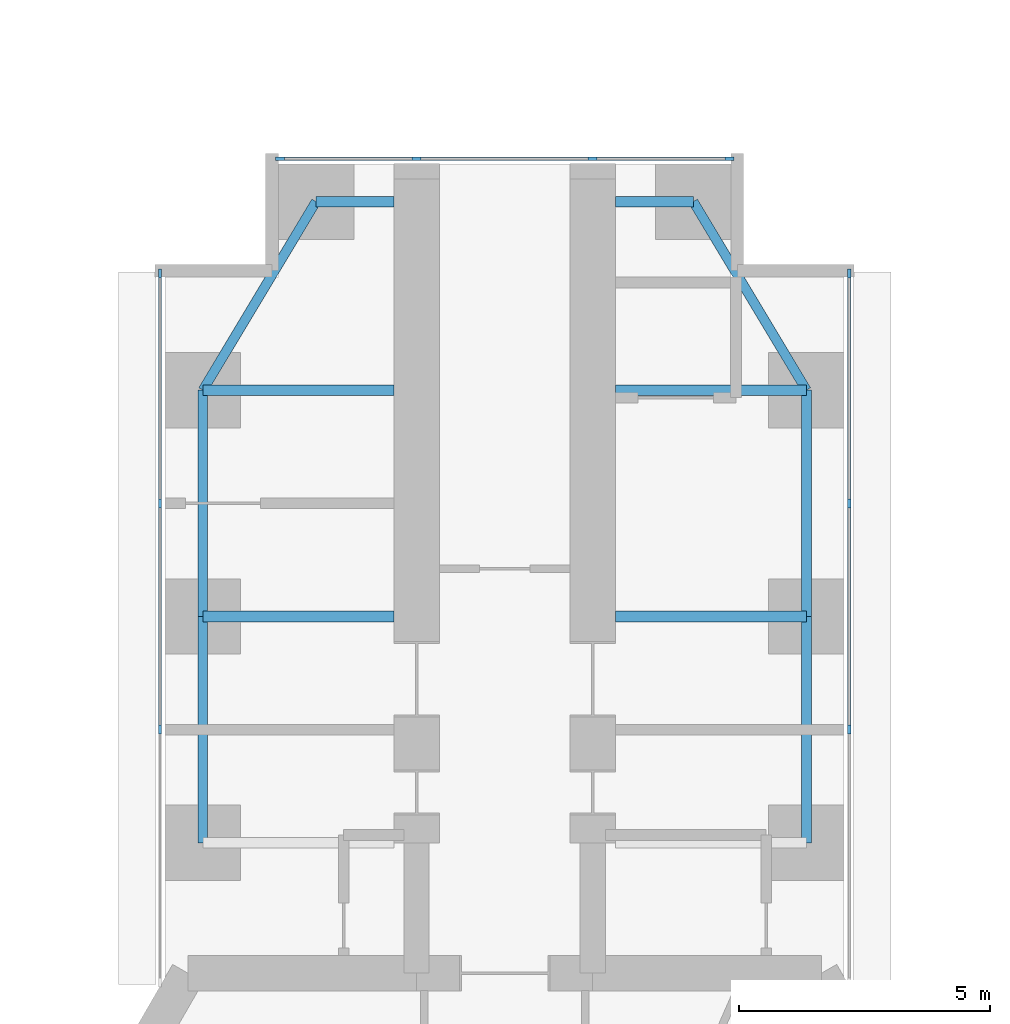
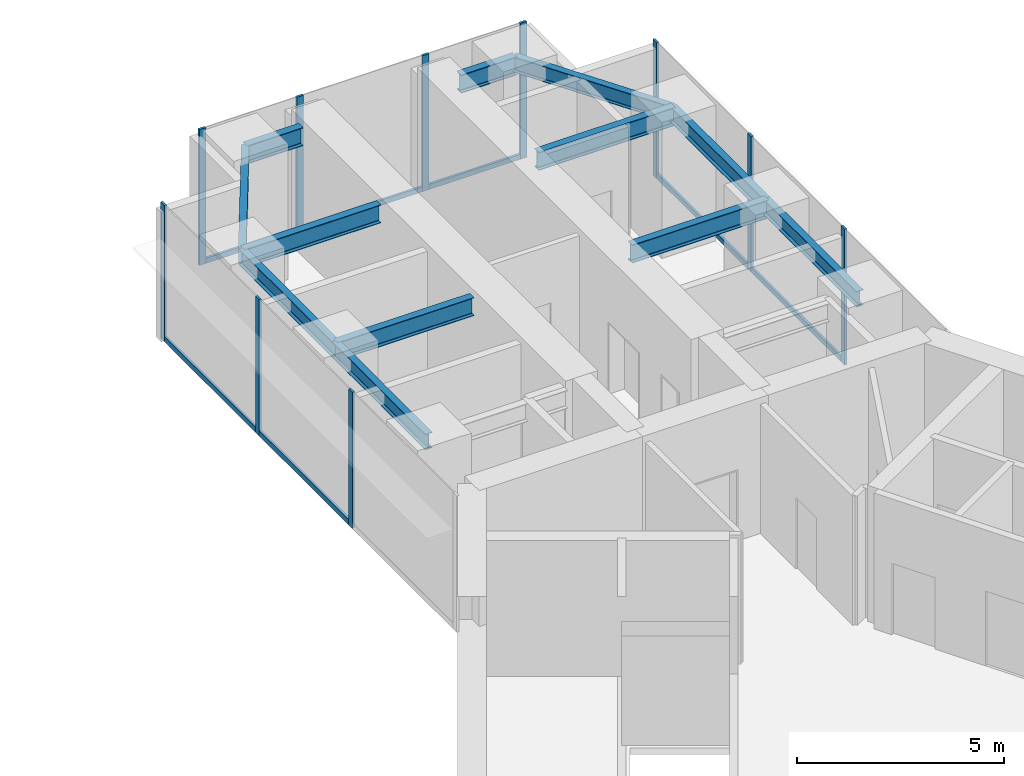
# One storey, part 13 of 23: 17 members, 12 beams, 3 elements without a shape of their own.
"""IFC4 building model written with IfcOpenShell, lengths in metres."""

import ifcopenshell
import ifcopenshell.guid

model = None  # the IFC model being written
_history = None  # IfcOwnerHistory: only IFC2X3 demands one
_inside = {}  # id of a spatial element -> (the spatial element, [elements in it])
_under = {}  # id of a project, library or spatial element -> (it, [spatial elements below it])
_declared = {}  # id of a project -> (the project, [libraries it declares])
_typed = {}  # id of a type object -> (the type object, [elements of that type])
_made_of = {}  # id of a material, layer set ... -> (it, [elements and type objects made of it])


def new_model(schema):
    """Start an empty IFC model of exactly this schema.

    Asked for "IFC4X3", IfcOpenShell would pick the latest addendum, in which some entities
    have other attributes; the version numbers below select the first issue.
    IFC2X3 requires an IfcOwnerHistory on every rooted entity: one is made here for all.
    """
    global model, _history
    if schema == "IFC4X3":
        model = ifcopenshell.file(schema_version=(4, 3, 0, 0))
    else:
        model = ifcopenshell.file(schema=schema)
    _inside.clear()
    _under.clear()
    _declared.clear()
    _typed.clear()
    _made_of.clear()
    _history = None
    if model.schema == "IFC2X3":
        org = make("IfcOrganization", Name="unknown")
        user = make(
            "IfcPersonAndOrganization",
            ThePerson=make("IfcPerson", FamilyName="unknown"),
            TheOrganization=org,
        )
        app = make(
            "IfcApplication",
            ApplicationDeveloper=org,
            Version="unknown",
            ApplicationFullName="unknown",
            ApplicationIdentifier="unknown",
        )
        _history = make(
            "IfcOwnerHistory",
            OwningUser=user,
            OwningApplication=app,
            ChangeAction="ADDED",
            CreationDate=0,
        )
    return model


def make(cls, **values):
    """One entity of the class cls with the attributes given. An attribute that is None is left unset."""
    return model.create_entity(
        cls, **{name: value for name, value in values.items() if value is not None}
    )


def rooted(cls, **values):
    """An entity with a GlobalId (a new one), such as an element, a storey or a relation."""
    return make(cls, GlobalId=ifcopenshell.guid.new(), OwnerHistory=_history, **values)


def si_unit(unit_type, name, prefix=None):
    """IfcSIUnit, for example si_unit("LENGTHUNIT", "METRE", prefix="MILLI")."""
    return make("IfcSIUnit", UnitType=unit_type, Prefix=prefix, Name=name)


def assignment(units):
    """IfcUnitAssignment: the units of a project."""
    return None if units is None else make("IfcUnitAssignment", Units=units)


def point(xyz):
    """IfcCartesianPoint."""
    return None if xyz is None else make("IfcCartesianPoint", Coordinates=xyz)


def direction(xyz):
    """IfcDirection."""
    return None if xyz is None else make("IfcDirection", DirectionRatios=xyz)


def frame(location, z_axis=None, x_axis=None):
    """IfcAxis2Placement3D, a coordinate frame: its origin and axes. An axis left out is left unset."""
    return make(
        "IfcAxis2Placement3D",
        Location=point(location),
        Axis=direction(z_axis),
        RefDirection=direction(x_axis),
    )


def frame_2d(location, x_axis=None):
    """IfcAxis2Placement2D, a coordinate frame in the plane: its origin and x axis."""
    return make(
        "IfcAxis2Placement2D", Location=point(location), RefDirection=direction(x_axis)
    )


def origin():
    """The frame at (0, 0, 0) with its axes left unset."""
    return frame((0.0, 0.0, 0.0))


def origin_2d():
    """The frame at (0, 0) in the plane with its x axis left unset."""
    return frame_2d((0.0, 0.0))


def place(relative_to, where):
    """IfcLocalPlacement: puts the frame where relative to a parent placement (None: the world)."""
    return make(
        "IfcLocalPlacement", PlacementRelTo=relative_to, RelativePlacement=where
    )


def context(
    kind, dimensions, precision=None, world=None, true_north=None, identifier=None
):
    """IfcGeometricRepresentationContext, for example the 3D "Model" context."""
    return make(
        "IfcGeometricRepresentationContext",
        ContextIdentifier=identifier,
        ContextType=kind,
        CoordinateSpaceDimension=dimensions,
        Precision=precision,
        WorldCoordinateSystem=world,
        TrueNorth=true_north,
    )


def subcontext(parent, identifier, kind, view, scale=None):
    """IfcGeometricRepresentationSubContext, for example "Body" below "Model"."""
    return make(
        "IfcGeometricRepresentationSubContext",
        ContextIdentifier=identifier,
        ContextType=kind,
        ParentContext=parent,
        TargetScale=scale,
        TargetView=view,
    )


def project(units=None, contexts=None):
    """IfcProject with its units and contexts."""
    return rooted(
        "IfcProject",
        Name="project",
        RepresentationContexts=contexts,
        UnitsInContext=assignment(units),
    )


def spatial(cls, under=None, at=None, **own):
    """A site, building, storey or space (cls), placed at a placement, below another one or the project."""
    s = rooted(cls, ObjectPlacement=at, **own)
    if under is not None:
        _under.setdefault(under.id(), (under, []))[1].append(s)
    return s


def profile(cls, at=None, kind="AREA", **sizes):
    """A parametric profile (cls). Its sizes go by their IFC names, for example OverallWidth=200.0."""
    return make(cls, ProfileType=kind, Position=at, **sizes)


def rectangle(**sizes):
    """IfcRectangleProfileDef."""
    return profile("IfcRectangleProfileDef", **sizes)


def i_section(**sizes):
    """IfcIShapeProfileDef."""
    return profile("IfcIShapeProfileDef", **sizes)


def extrude(swept, where, along, depth):
    """IfcExtrudedAreaSolid: the profile swept, set in the frame where, extruded along a direction by depth."""
    return make(
        "IfcExtrudedAreaSolid",
        SweptArea=swept,
        Position=where,
        ExtrudedDirection=direction(along),
        Depth=depth,
    )


def shape(context_of_items, identifier, shape_type, items):
    """IfcShapeRepresentation: the items that make up one representation, for example the "Body"."""
    return make(
        "IfcShapeRepresentation",
        ContextOfItems=context_of_items,
        RepresentationIdentifier=identifier,
        RepresentationType=shape_type,
        Items=items,
    )


def material(Name=None, Category=None):
    """IfcMaterial."""
    return make("IfcMaterial", Name=Name, Category=Category)


def material_profile(
    of_material, cross_section, Name=None, Category=None, Priority=None
):
    """IfcMaterialProfile: a cross section and its material."""
    return make(
        "IfcMaterialProfile",
        Name=Name,
        Material=of_material,
        Profile=cross_section,
        Priority=Priority,
        Category=Category,
    )


def profile_set(profiles, Name=None, composite=None):
    """IfcMaterialProfileSet."""
    return make(
        "IfcMaterialProfileSet",
        Name=Name,
        MaterialProfiles=profiles,
        CompositeProfile=composite,
    )


def made_of(thing, what):
    """Note that an element or type object is made of a material, layer set ...; save() writes the relation."""
    if what is not None:
        _made_of.setdefault(what.id(), (what, []))[1].append(thing)
    return thing


def type_object(cls, material=None, **own):
    """A type object (cls), such as IfcWallType, which elements share."""
    return made_of(rooted(cls, **own), material)


def element(
    cls,
    number,
    at=None,
    inside=None,
    cuts=None,
    type_object=None,
    material=None,
    context=None,
    identifier="Body",
    shape_type=None,
    held_by="IfcProductDefinitionShape",
    body=None,
    shapes=None,
    **own,
):
    """One element of the class cls, such as IfcWall. Its Tag is "e" and its number.

    at: its placement. inside: the storey or other place that contains it. cuts: it is an
    opening in that element (IfcRelVoidsElement). A single representation is given by context,
    identifier, shape_type and body (its items); several are given by shapes. held_by: the class
    of the entity that holds the representations. save() writes the other relations.
    """
    e = rooted(cls, Tag="e%d" % number, ObjectPlacement=at, **own)
    if body is not None:
        shapes = [shape(context, identifier, shape_type, body)]
    if shapes is not None:
        e.Representation = make(held_by, Representations=shapes)
    if inside is not None:
        _inside.setdefault(inside.id(), (inside, []))[1].append(e)
    if cuts is not None:
        rooted(
            "IfcRelVoidsElement", RelatingBuildingElement=cuts, RelatedOpeningElement=e
        )
    if type_object is not None:
        _typed.setdefault(type_object.id(), (type_object, []))[1].append(e)
    return made_of(e, material)


def aggregate(whole, parts):
    """IfcRelAggregates: a whole, such as a stair, and the parts it consists of."""
    return rooted("IfcRelAggregates", RelatingObject=whole, RelatedObjects=parts)


def save(model, path):
    """Write the relations noted so far, then the file.

    IfcRelAggregates (storeys below a building ...), IfcRelContainedInSpatialStructure (elements
    in a storey), IfcRelDefinesByType, IfcRelAssociatesMaterial and IfcRelDeclares: one each for
    every whole, place, type object, material and project.
    """
    for whole, parts in _under.values():
        aggregate(whole, parts)
    for where, things in _inside.values():
        rooted(
            "IfcRelContainedInSpatialStructure",
            RelatedElements=things,
            RelatingStructure=where,
        )
    for kind, things in _typed.values():
        rooted("IfcRelDefinesByType", RelatedObjects=things, RelatingType=kind)
    for what, things in _made_of.values():
        rooted("IfcRelAssociatesMaterial", RelatedObjects=things, RelatingMaterial=what)
    for by, libraries in _declared.values():
        rooted("IfcRelDeclares", RelatingContext=by, RelatedDefinitions=libraries)
    model.write(path)


model = new_model("IFC4")

# Units and contexts
model_context = context("Model", 3, precision=1e-05, world=origin(), true_north=direction((0.0, 1.0)))
body_context = subcontext(model_context, "Body", "Model", "MODEL_VIEW")
ifc_project = project(units=[si_unit("LENGTHUNIT", "METRE"), si_unit("AREAUNIT", "SQUARE_METRE"), si_unit("VOLUMEUNIT", "CUBIC_METRE"), si_unit("PLANEANGLEUNIT", "RADIAN"), si_unit("MASSUNIT", "GRAM", prefix="KILO")], contexts=[model_context])

# Site, building, storey
site_placement = place(None, origin())
site = spatial("IfcSite", under=ifc_project, at=site_placement, CompositionType="ELEMENT")
building_placement = place(site_placement, origin())
building = spatial("IfcBuilding", under=site, at=building_placement, Name="Upepo Twin Towers", CompositionType="ELEMENT")
storey_placement = place(building_placement, frame((0.0, 0.0, 28.5)))
storey = spatial("IfcBuildingStorey", under=building, at=storey_placement, Name="L06", CompositionType="ELEMENT", Elevation=28.5)

# Beams
ifc_material_1 = material(Name="Steel S355", Category="steel")
ifc_material_profile_1 = material_profile(ifc_material_1, i_section(OverallWidth=0.1904296875, OverallDepth=0.45703125, WebThickness=0.009033203125, FlangeThickness=0.014404296875, FilletRadius=0.01025390625, at=origin_2d()), Name="UB 457x191x74")
ifc_profile_set_1 = profile_set([ifc_material_profile_1], Name="Steel S355")
beam_type_1 = type_object("IfcBeamType", Name="Beam UB 457x191x74", PredefinedType="BEAM", material=ifc_profile_set_1)
for number, where, z_axis, x_axis, name in (
    (1, (52.5, -4.5, 3.571533203125), (0.0, 1.0, 0.0), (-1.0, 0.0, 0.0), "T2 edge beam AL 13.5-18.0"),
    (2, (52.5, 0.0, 3.571533203125), (0.0, 1.0, 0.0), (-1.0, 0.0, 0.0), "T2 edge beam AL 18.0-22.5"),
):
    element("IfcBeam", number, at=place(storey_placement, frame(where, z_axis=z_axis, x_axis=x_axis)), inside=storey, type_object=beam_type_1, Name=name, PredefinedType="BEAM", context=body_context, shape_type="SweptSolid", body=[
        extrude(i_section(OverallWidth=0.1904296875, OverallDepth=0.45703125, WebThickness=0.009033203125, FlangeThickness=0.014404296875, FilletRadius=0.01025390625, at=origin_2d()), origin(), (0.0, 0.0, 1.0), 4.5),
    ])
beam_1_placement = place(storey_placement, frame((52.5, 4.5, 3.571533203125), z_axis=(0.514495755428, 0.857492925713, 0.0), x_axis=(-0.857492925713, 0.514495755428, 0.0)))
element("IfcBeam", 3, at=beam_1_placement, inside=storey, type_object=beam_type_1, Name="T2 nose edge beam AL", PredefinedType="BEAM", context=body_context, shape_type="SweptSolid", body=[
    extrude(i_section(OverallWidth=0.1904296875, OverallDepth=0.45703125, WebThickness=0.009033203125, FlangeThickness=0.014404296875, FilletRadius=0.01025390625, at=origin_2d()), origin(), (0.0, 0.0, 1.0), 4.373291015625),
])
for number, where, z_axis, x_axis, name in (
    (4, (64.5, -4.5, 3.571533203125), (0.0, 1.0, 0.0), (-1.0, 0.0, 0.0), "T2 edge beam AR 13.5-18.0"),
    (5, (64.5, 0.0, 3.571533203125), (0.0, 1.0, 0.0), (-1.0, 0.0, 0.0), "T2 edge beam AR 18.0-22.5"),
):
    element("IfcBeam", number, at=place(storey_placement, frame(where, z_axis=z_axis, x_axis=x_axis)), inside=storey, type_object=beam_type_1, Name=name, PredefinedType="BEAM", context=body_context, shape_type="SweptSolid", body=[
        extrude(i_section(OverallWidth=0.1904296875, OverallDepth=0.45703125, WebThickness=0.009033203125, FlangeThickness=0.014404296875, FilletRadius=0.01025390625, at=origin_2d()), origin(), (0.0, 0.0, 1.0), 4.5),
    ])
beam_2_placement = place(storey_placement, frame((64.5, 4.5, 3.571533203125), z_axis=(-0.514495755428, 0.857492925713, 0.0), x_axis=(-0.857492925713, -0.514495755428, 0.0)))
element("IfcBeam", 6, at=beam_2_placement, inside=storey, type_object=beam_type_1, Name="T2 nose edge beam AR", PredefinedType="BEAM", context=body_context, shape_type="SweptSolid", body=[
    extrude(i_section(OverallWidth=0.1904296875, OverallDepth=0.45703125, WebThickness=0.009033203125, FlangeThickness=0.014404296875, FilletRadius=0.01025390625, at=origin_2d()), origin(), (0.0, 0.0, 1.0), 4.373291015625),
])
ifc_material_2 = material(Name="Steel S355", Category="steel")
ifc_material_profile_2 = material_profile(ifc_material_2, i_section(OverallWidth=0.2099609375, OverallDepth=0.53662109375, WebThickness=0.0107421875, FlangeThickness=0.017333984375, FilletRadius=0.0126953125, at=origin_2d()), Name="UB 533x210x101")
ifc_profile_set_2 = profile_set([ifc_material_profile_2], Name="Steel S355")
beam_type_2 = type_object("IfcBeamType", Name="Beam UB 533x210x101", PredefinedType="BEAM", material=ifc_profile_set_2)
for number, where, z_axis, x_axis, name in (
    (7, (54.75, 8.25, 3.53173828125), (1.0, 0.0, 0.0), (0.0, 1.0, 0.0), "T2 nose beam AL"),
    (8, (62.25, 8.25, 3.53173828125), (-1.0, 0.0, 0.0), (0.0, -1.0, 0.0), "T2 nose beam AR"),
):
    element("IfcBeam", number, at=place(storey_placement, frame(where, z_axis=z_axis, x_axis=x_axis)), inside=storey, type_object=beam_type_2, Name=name, PredefinedType="BEAM", context=body_context, shape_type="SweptSolid", body=[
        extrude(i_section(OverallWidth=0.2099609375, OverallDepth=0.53662109375, WebThickness=0.0107421875, FlangeThickness=0.017333984375, FilletRadius=0.0126953125, at=origin_2d()), origin(), (0.0, 0.0, 1.0), 1.550048828125),
    ])
ifc_material_3 = material(Name="Steel S355", Category="steel")
ifc_material_profile_3 = material_profile(ifc_material_3, i_section(OverallWidth=0.209228515625, OverallDepth=0.533203125, WebThickness=0.010009765625, FlangeThickness=0.015625, FilletRadius=0.0126953125, at=origin_2d()), Name="UB 533x210x92")
ifc_profile_set_3 = profile_set([ifc_material_profile_3], Name="Steel S355")
beam_type_3 = type_object("IfcBeamType", Name="Beam UB 533x210x92", PredefinedType="BEAM", material=ifc_profile_set_3)
for number, where, z_axis, x_axis, name in (
    (9, (52.5, 0.0, 3.533447265625), (1.0, 0.0, 0.0), (0.0, 1.0, 0.0), "T2 girder AL at 18.0"),
    (10, (52.5, 4.5, 3.533447265625), (1.0, 0.0, 0.0), (0.0, 1.0, 0.0), "T2 girder AL at 22.5"),
    (11, (64.5, 0.0, 3.533447265625), (-1.0, 0.0, 0.0), (0.0, -1.0, 0.0), "T2 girder AR at 18.0"),
    (12, (64.5, 4.5, 3.533447265625), (-1.0, 0.0, 0.0), (0.0, -1.0, 0.0), "T2 girder AR at 22.5"),
):
    element("IfcBeam", number, at=place(storey_placement, frame(where, z_axis=z_axis, x_axis=x_axis)), inside=storey, type_object=beam_type_3, Name=name, PredefinedType="BEAM", context=body_context, shape_type="SweptSolid", body=[
        extrude(i_section(OverallWidth=0.209228515625, OverallDepth=0.533203125, WebThickness=0.010009765625, FlangeThickness=0.015625, FilletRadius=0.0126953125, at=origin_2d()), origin(), (0.0, 0.0, 1.0), 3.800048828125),
    ])

# Curtain wall, members
ifc_material_4 = material(Name="Aluminium and fritted glass", Category="aluminium")
curtain_wall_type = type_object("IfcCurtainWallType", Name="Tower curtain wall TW1, fritted glass", PredefinedType="NOTDEFINED", material=ifc_material_4)
curtain_wall_1_placement = place(storey_placement, origin())
curtain_wall_1 = element("IfcCurtainWall", 13, at=curtain_wall_1_placement, inside=storey, type_object=curtain_wall_type, Name="T2 L06 wing A flank L curtain wall", PredefinedType="NOTDEFINED")
ifc_material_5 = material(Name="Aluminium mullion", Category="aluminium")
ifc_material_profile_4 = material_profile(ifc_material_5, rectangle(XDim=0.06494140625, YDim=0.179931640625, at=origin_2d()), Name="MULLION 65x180")
ifc_profile_set_4 = profile_set([ifc_material_profile_4], Name="Aluminium mullion")
member_type_1 = type_object("IfcMemberType", Name="Mullion 65x180 TW1", PredefinedType="MULLION", material=ifc_profile_set_4)
member_1_placement = place(storey_placement, frame((51.64990234375, -2.25, 0.0), z_axis=(0.0, 0.0, 1.0), x_axis=(-1.0, 0.0, 0.0)))
member_1 = element("IfcMember", 14, at=member_1_placement, type_object=member_type_1, Name="T2 L06 wing A flank L curtain wall mullion 2", PredefinedType="MULLION", context=body_context, shape_type="SweptSolid", body=[
    extrude(rectangle(XDim=0.06494140625, YDim=0.179931640625, at=origin_2d()), origin(), (0.0, 0.0, 1.0), 4.0),
])
member_2_placement = place(storey_placement, frame((51.64990234375, 2.25, 0.0), z_axis=(0.0, 0.0, 1.0), x_axis=(-1.0, 0.0, 0.0)))
member_2 = element("IfcMember", 15, at=member_2_placement, type_object=member_type_1, Name="T2 L06 wing A flank L curtain wall mullion 3", PredefinedType="MULLION", context=body_context, shape_type="SweptSolid", body=[
    extrude(rectangle(XDim=0.06494140625, YDim=0.179931640625, at=origin_2d()), origin(), (0.0, 0.0, 1.0), 4.0),
])
member_3_placement = place(storey_placement, frame((51.64990234375, 6.8173828125, 0.0), z_axis=(0.0, 0.0, 1.0), x_axis=(-1.0, 0.0, 0.0)))
member_3 = element("IfcMember", 16, at=member_3_placement, type_object=member_type_1, Name="T2 L06 wing A flank L curtain wall mullion 4", PredefinedType="MULLION", context=body_context, shape_type="SweptSolid", body=[
    extrude(rectangle(XDim=0.06494140625, YDim=0.179931640625, at=origin_2d()), origin(), (0.0, 0.0, 1.0), 4.0),
])

curtain_wall_2_placement = place(storey_placement, origin())
curtain_wall_2 = element("IfcCurtainWall", 17, at=curtain_wall_2_placement, inside=storey, type_object=curtain_wall_type, Name="T2 L06 wing A flank R curtain wall", PredefinedType="NOTDEFINED")
member_4_placement = place(storey_placement, frame((65.35009765625, 6.8173828125, 0.0), z_axis=(0.0, 0.0, 1.0), x_axis=(1.0, 0.0, 0.0)))
member_4 = element("IfcMember", 18, at=member_4_placement, type_object=member_type_1, Name="T2 L06 wing A flank R curtain wall mullion 1", PredefinedType="MULLION", context=body_context, shape_type="SweptSolid", body=[
    extrude(rectangle(XDim=0.06494140625, YDim=0.179931640625, at=origin_2d()), origin(), (0.0, 0.0, 1.0), 4.0),
])
member_5_placement = place(storey_placement, frame((65.35009765625, 2.25, 0.0), z_axis=(0.0, 0.0, 1.0), x_axis=(1.0, 0.0, 0.0)))
member_5 = element("IfcMember", 19, at=member_5_placement, type_object=member_type_1, Name="T2 L06 wing A flank R curtain wall mullion 2", PredefinedType="MULLION", context=body_context, shape_type="SweptSolid", body=[
    extrude(rectangle(XDim=0.06494140625, YDim=0.179931640625, at=origin_2d()), origin(), (0.0, 0.0, 1.0), 4.0),
])
member_6_placement = place(storey_placement, frame((65.35009765625, -2.25, 0.0), z_axis=(0.0, 0.0, 1.0), x_axis=(1.0, 0.0, 0.0)))
member_6 = element("IfcMember", 20, at=member_6_placement, type_object=member_type_1, Name="T2 L06 wing A flank R curtain wall mullion 3", PredefinedType="MULLION", context=body_context, shape_type="SweptSolid", body=[
    extrude(rectangle(XDim=0.06494140625, YDim=0.179931640625, at=origin_2d()), origin(), (0.0, 0.0, 1.0), 4.0),
])

curtain_wall_3_placement = place(storey_placement, origin())
curtain_wall_3 = element("IfcCurtainWall", 21, at=curtain_wall_3_placement, inside=storey, type_object=curtain_wall_type, Name="T2 L06 wing A nose curtain wall", PredefinedType="NOTDEFINED")
member_7_placement = place(storey_placement, frame((62.967529296875, 9.10009765625, 0.0), z_axis=(0.0, 0.0, 1.0), x_axis=(0.0, -1.0, 0.0)))
member_7 = element("IfcMember", 22, at=member_7_placement, type_object=member_type_1, Name="T2 L06 wing A nose curtain wall mullion 1", PredefinedType="MULLION", context=body_context, shape_type="SweptSolid", body=[
    extrude(rectangle(XDim=0.06494140625, YDim=0.179931640625, at=origin_2d()), origin(), (0.0, 0.0, 1.0), 4.0),
])
member_8_placement = place(storey_placement, frame((60.25, 9.10009765625, 0.0), z_axis=(0.0, 0.0, 1.0), x_axis=(0.0, -1.0, 0.0)))
member_8 = element("IfcMember", 23, at=member_8_placement, type_object=member_type_1, Name="T2 L06 wing A nose curtain wall mullion 2", PredefinedType="MULLION", context=body_context, shape_type="SweptSolid", body=[
    extrude(rectangle(XDim=0.06494140625, YDim=0.179931640625, at=origin_2d()), origin(), (0.0, 0.0, 1.0), 4.0),
])
member_9_placement = place(storey_placement, frame((56.75, 9.10009765625, 0.0), z_axis=(0.0, 0.0, 1.0), x_axis=(0.0, -1.0, 0.0)))
member_9 = element("IfcMember", 24, at=member_9_placement, type_object=member_type_1, Name="T2 L06 wing A nose curtain wall mullion 3", PredefinedType="MULLION", context=body_context, shape_type="SweptSolid", body=[
    extrude(rectangle(XDim=0.06494140625, YDim=0.179931640625, at=origin_2d()), origin(), (0.0, 0.0, 1.0), 4.0),
])
member_10_placement = place(storey_placement, frame((54.032470703125, 9.10009765625, 0.0), z_axis=(0.0, 0.0, 1.0), x_axis=(0.0, -1.0, 0.0)))
member_10 = element("IfcMember", 25, at=member_10_placement, type_object=member_type_1, Name="T2 L06 wing A nose curtain wall mullion 4", PredefinedType="MULLION", context=body_context, shape_type="SweptSolid", body=[
    extrude(rectangle(XDim=0.06494140625, YDim=0.179931640625, at=origin_2d()), origin(), (0.0, 0.0, 1.0), 4.0),
])

# Member
ifc_material_6 = material(Name="Aluminium transom", Category="aluminium")
ifc_material_profile_5 = material_profile(ifc_material_6, rectangle(XDim=0.06494140625, YDim=0.14990234375, at=origin_2d()), Name="TRANSOM 65x150")
ifc_profile_set_5 = profile_set([ifc_material_profile_5], Name="Aluminium transom")
member_type_2 = type_object("IfcMemberType", Name="Transom 65x150 TW1", PredefinedType="USERDEFINED", material=ifc_profile_set_5)
member_11_placement = place(storey_placement, frame((51.64990234375, -2.217529296875, 0.074951171875), z_axis=(0.0, 1.0, 0.0), x_axis=(-1.0, 0.0, 0.0)))
member_11 = element("IfcMember", 26, at=member_11_placement, type_object=member_type_2, Name="T2 L06 wing A flank L curtain wall transom 2", ObjectType="TRANSOM", PredefinedType="USERDEFINED", context=body_context, shape_type="SweptSolid", body=[
    extrude(rectangle(XDim=0.06494140625, YDim=0.14990234375, at=origin_2d()), origin(), (0.0, 0.0, 1.0), 4.43505859375),
])

member_12_placement = place(storey_placement, frame((51.64990234375, 2.282470703125, 0.074951171875), z_axis=(0.0, 1.0, 0.0), x_axis=(-1.0, 0.0, 0.0)))
member_12 = element("IfcMember", 27, at=member_12_placement, type_object=member_type_2, Name="T2 L06 wing A flank L curtain wall transom 3", ObjectType="TRANSOM", PredefinedType="USERDEFINED", context=body_context, shape_type="SweptSolid", body=[
    extrude(rectangle(XDim=0.06494140625, YDim=0.14990234375, at=origin_2d()), origin(), (0.0, 0.0, 1.0), 4.50244140625),
])

aggregate(curtain_wall_1, [member_1, member_2, member_3, member_11, member_12])

member_13_placement = place(storey_placement, frame((65.35009765625, 6.784912109375, 0.074951171875), z_axis=(0.0, -1.0, 0.0), x_axis=(1.0, 0.0, 0.0)))
member_13 = element("IfcMember", 28, at=member_13_placement, type_object=member_type_2, Name="T2 L06 wing A flank R curtain wall transom 1", ObjectType="TRANSOM", PredefinedType="USERDEFINED", context=body_context, shape_type="SweptSolid", body=[
    extrude(rectangle(XDim=0.06494140625, YDim=0.14990234375, at=origin_2d()), origin(), (0.0, 0.0, 1.0), 4.50244140625),
])

member_14_placement = place(storey_placement, frame((65.35009765625, 2.217529296875, 0.074951171875), z_axis=(0.0, -1.0, 0.0), x_axis=(1.0, 0.0, 0.0)))
member_14 = element("IfcMember", 29, at=member_14_placement, type_object=member_type_2, Name="T2 L06 wing A flank R curtain wall transom 2", ObjectType="TRANSOM", PredefinedType="USERDEFINED", context=body_context, shape_type="SweptSolid", body=[
    extrude(rectangle(XDim=0.06494140625, YDim=0.14990234375, at=origin_2d()), origin(), (0.0, 0.0, 1.0), 4.43505859375),
])

aggregate(curtain_wall_2, [member_4, member_5, member_6, member_13, member_14])

member_15_placement = place(storey_placement, frame((62.93505859375, 9.10009765625, 0.074951171875), z_axis=(-1.0, 0.0, 0.0), x_axis=(0.0, -1.0, 0.0)))
member_15 = element("IfcMember", 30, at=member_15_placement, type_object=member_type_2, Name="T2 L06 wing A nose curtain wall transom 1", ObjectType="TRANSOM", PredefinedType="USERDEFINED", context=body_context, shape_type="SweptSolid", body=[
    extrude(rectangle(XDim=0.06494140625, YDim=0.14990234375, at=origin_2d()), origin(), (0.0, 0.0, 1.0), 2.652587890625),
])

member_16_placement = place(storey_placement, frame((60.217529296875, 9.10009765625, 0.074951171875), z_axis=(-1.0, 0.0, 0.0), x_axis=(0.0, -1.0, 0.0)))
member_16 = element("IfcMember", 31, at=member_16_placement, type_object=member_type_2, Name="T2 L06 wing A nose curtain wall transom 2", ObjectType="TRANSOM", PredefinedType="USERDEFINED", context=body_context, shape_type="SweptSolid", body=[
    extrude(rectangle(XDim=0.06494140625, YDim=0.14990234375, at=origin_2d()), origin(), (0.0, 0.0, 1.0), 3.43505859375),
])

member_17_placement = place(storey_placement, frame((56.717529296875, 9.10009765625, 0.074951171875), z_axis=(-1.0, 0.0, 0.0), x_axis=(0.0, -1.0, 0.0)))
member_17 = element("IfcMember", 32, at=member_17_placement, type_object=member_type_2, Name="T2 L06 wing A nose curtain wall transom 3", ObjectType="TRANSOM", PredefinedType="USERDEFINED", context=body_context, shape_type="SweptSolid", body=[
    extrude(rectangle(XDim=0.06494140625, YDim=0.14990234375, at=origin_2d()), origin(), (0.0, 0.0, 1.0), 2.652587890625),
])

aggregate(curtain_wall_3, [member_7, member_8, member_9, member_10, member_15, member_16, member_17])

save(model, "model.ifc")
